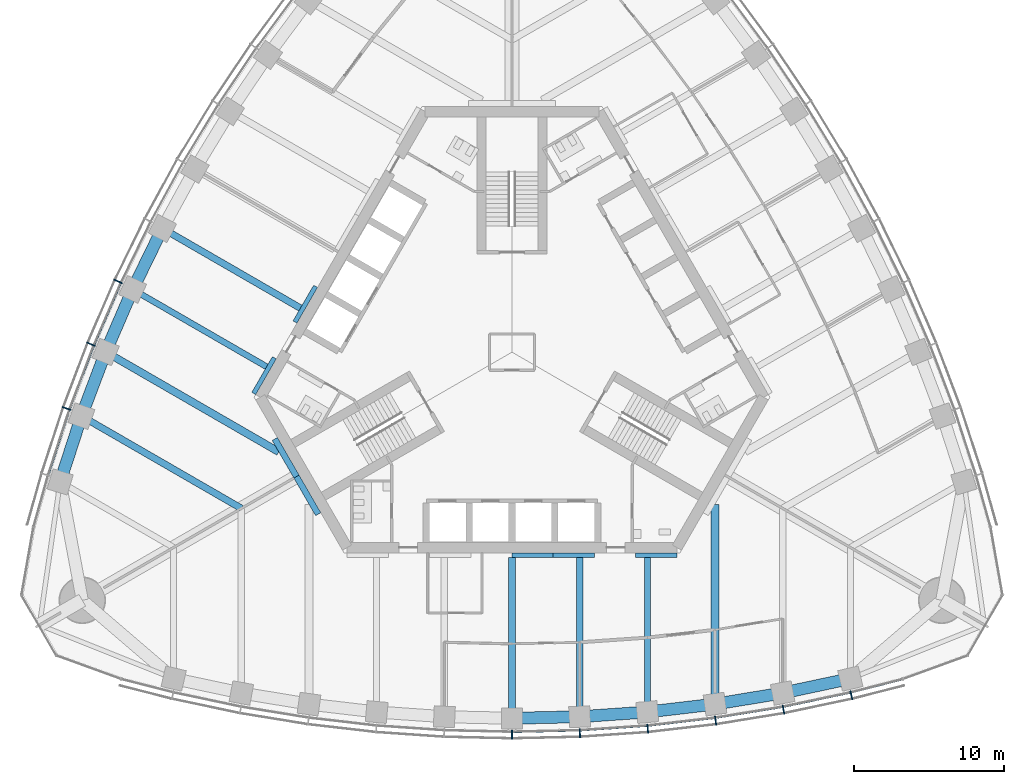
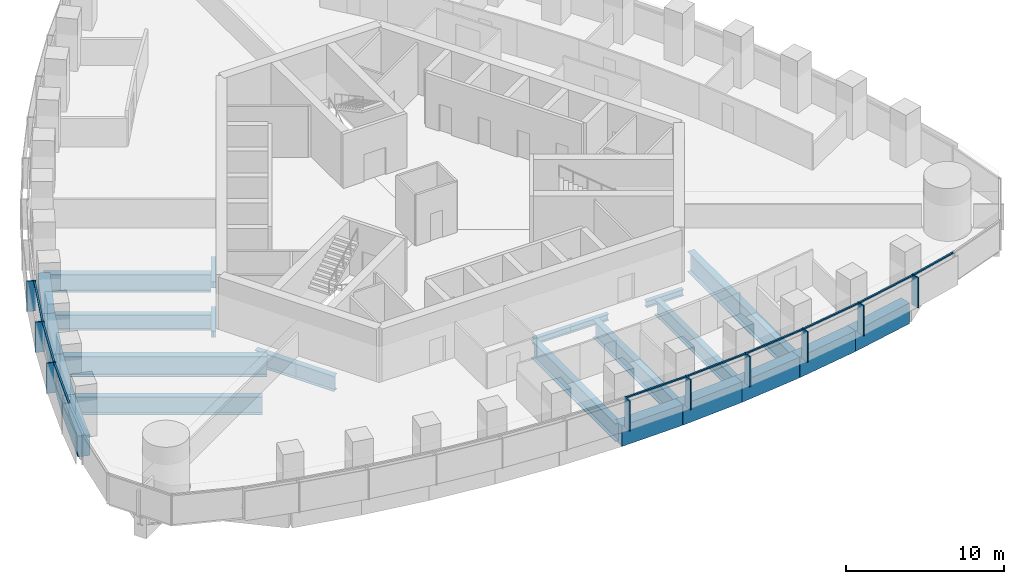
# One storey, part 3 of 19: 24 beams, 18 members, 2 elements without a shape of their own.
"""IFC4 building model written with IfcOpenShell, lengths in metres."""

from ifc_helpers import new_model, si_unit, direction, frame, origin, origin_2d, place, context, subcontext, project, spatial, rectangle, i_section, extrude, material, material_profile, profile_set, type_object, element, aggregate, save


model = new_model("IFC4")

# Units and contexts
model_context = context("Model", 3, precision=1e-05, world=origin(), true_north=direction((0.0, 1.0)))
body_context = subcontext(model_context, "Body", "Model", "MODEL_VIEW")
ifc_project = project(units=[si_unit("LENGTHUNIT", "METRE"), si_unit("AREAUNIT", "SQUARE_METRE"), si_unit("VOLUMEUNIT", "CUBIC_METRE"), si_unit("PLANEANGLEUNIT", "RADIAN"), si_unit("MASSUNIT", "GRAM", prefix="KILO")], contexts=[model_context])

# Site, building, storey
site_placement = place(None, origin())
site = spatial("IfcSite", under=ifc_project, at=site_placement, CompositionType="ELEMENT")
building_placement = place(site_placement, origin())
building = spatial("IfcBuilding", under=site, at=building_placement, Name="Trefoil Bronze Tower", CompositionType="ELEMENT")
storey_placement = place(building_placement, frame((0.0, 0.0, 261.10009765625)))
storey = spatial("IfcBuildingStorey", under=building, at=storey_placement, Name="L60", CompositionType="ELEMENT", Elevation=261.10009765625)

# Curtain wall, members
ifc_material_1 = material(Name="Tinted solar-control glass", Category="glass")
curtain_wall_type = type_object("IfcCurtainWallType", Name="Bronze office curtain wall", PredefinedType="USERDEFINED", material=ifc_material_1)
curtain_wall_1_placement = place(storey_placement, origin())
curtain_wall_1 = element("IfcCurtainWall", 1, at=curtain_wall_1_placement, inside=storey, type_object=curtain_wall_type, Name="CW-A L60 F1", ObjectType="CURTAIN WALL", PredefinedType="USERDEFINED")
ifc_material_2 = material(Name="Bronze-finish aluminium", Category="aluminium")
ifc_material_profile_1 = material_profile(ifc_material_2, rectangle(XDim=0.60009765625, YDim=0.080078125, at=origin_2d()), Name="CW-A mullion")
ifc_profile_set_1 = profile_set([ifc_material_profile_1], Name="Bronze-finish aluminium")
member_type_1 = type_object("IfcMemberType", Name="Bronze office curtain wall mullion", PredefinedType="MULLION", material=ifc_profile_set_1)
member_1_placement = place(storey_placement, frame((0.0, -25.45068359375, 0.0), z_axis=(0.0, 0.0, 1.0), x_axis=(0.0, 1.0, 0.0)))
member_1 = element("IfcMember", 2, at=member_1_placement, type_object=member_type_1, Name="CW-A L60 F1 mullion 7", PredefinedType="MULLION", context=body_context, shape_type="SweptSolid", body=[
    extrude(rectangle(XDim=0.60009765625, YDim=0.080078125, at=origin_2d()), origin(), (0.0, 0.0, 1.0), 2.349853515625),
])
member_2_placement = place(storey_placement, frame((4.513671875, -25.346923828125, 0.0), z_axis=(0.0, 0.0, 1.0), x_axis=(-0.045955542372, 0.998943485952, 0.0)))
member_2 = element("IfcMember", 3, at=member_2_placement, type_object=member_type_1, Name="CW-A L60 F1 mullion 8", PredefinedType="MULLION", context=body_context, shape_type="SweptSolid", body=[
    extrude(rectangle(XDim=0.60009765625, YDim=0.080078125, at=origin_2d()), origin(), (0.0, 0.0, 1.0), 2.349853515625),
])
member_3_placement = place(storey_placement, frame((9.027587890625, -25.03515625, 0.0), z_axis=(0.0, 0.0, 1.0), x_axis=(-0.091911396394, 0.995767189263, 0.0)))
member_3 = element("IfcMember", 4, at=member_3_placement, type_object=member_type_1, Name="CW-A L60 F1 mullion 9", PredefinedType="MULLION", context=body_context, shape_type="SweptSolid", body=[
    extrude(rectangle(XDim=0.60009765625, YDim=0.080078125, at=origin_2d()), origin(), (0.0, 0.0, 1.0), 2.349853515625),
])
member_4_placement = place(storey_placement, frame((13.541259765625, -24.51318359375, 0.0), z_axis=(0.0, 0.0, 1.0), x_axis=(-0.137867887204, 0.990450627582, 0.0)))
member_4 = element("IfcMember", 5, at=member_4_placement, type_object=member_type_1, Name="CW-A L60 F1 mullion 10", PredefinedType="MULLION", context=body_context, shape_type="SweptSolid", body=[
    extrude(rectangle(XDim=0.60009765625, YDim=0.080078125, at=origin_2d()), origin(), (0.0, 0.0, 1.0), 2.349853515625),
])
member_5_placement = place(storey_placement, frame((18.05517578125, -23.77783203125, 0.0), z_axis=(0.0, 0.0, 1.0), x_axis=(-0.183825368167, 0.982958917767, 0.0)))
member_5 = element("IfcMember", 6, at=member_5_placement, type_object=member_type_1, Name="CW-A L60 F1 mullion 11", PredefinedType="MULLION", context=body_context, shape_type="SweptSolid", body=[
    extrude(rectangle(XDim=0.60009765625, YDim=0.080078125, at=origin_2d()), origin(), (0.0, 0.0, 1.0), 2.349853515625),
])
member_6_placement = place(storey_placement, frame((22.568115234375, -22.82421875, 0.0), z_axis=(0.0, 0.0, 1.0), x_axis=(-0.227082662569, 0.973875487093, 0.0)))
member_6 = element("IfcMember", 7, at=member_6_placement, type_object=member_type_1, Name="CW-A L60 F1 mullion 12", PredefinedType="MULLION", context=body_context, shape_type="SweptSolid", body=[
    extrude(rectangle(XDim=0.60009765625, YDim=0.080078125, at=origin_2d()), origin(), (0.0, 0.0, 1.0), 2.349853515625),
])

curtain_wall_2_placement = place(storey_placement, origin())
curtain_wall_2 = element("IfcCurtainWall", 8, at=curtain_wall_2_placement, inside=storey, type_object=curtain_wall_type, Name="CW-A L60 F3", ObjectType="CURTAIN WALL", PredefinedType="USERDEFINED")
member_7_placement = place(storey_placement, frame((-26.19482421875, 4.699462890625, 0.0), z_axis=(0.0, 0.0, 1.0), x_axis=(0.908315380354, -0.418285990457, 0.0)))
member_7 = element("IfcMember", 9, at=member_7_placement, type_object=member_type_1, Name="CW-A L60 F3 mullion 9", PredefinedType="MULLION", context=body_context, shape_type="SweptSolid", body=[
    extrude(rectangle(XDim=0.60009765625, YDim=0.080078125, at=origin_2d()), origin(), (0.0, 0.0, 1.0), 2.349853515625),
])
member_8_placement = place(storey_placement, frame((-27.999755859375, 0.529541015625, 0.0), z_axis=(0.0, 0.0, 1.0), x_axis=(0.926689348282, -0.375828221106, 0.0)))
member_8 = element("IfcMember", 10, at=member_8_placement, type_object=member_type_1, Name="CW-A L60 F3 mullion 10", PredefinedType="MULLION", context=body_context, shape_type="SweptSolid", body=[
    extrude(rectangle(XDim=0.60009765625, YDim=0.080078125, at=origin_2d()), origin(), (0.0, 0.0, 1.0), 2.349853515625),
])
member_9_placement = place(storey_placement, frame((-29.619873046875, -3.747314453125, 0.0), z_axis=(0.0, 0.0, 1.0), x_axis=(0.943180077746, -0.332282020191, 0.0)))
member_9 = element("IfcMember", 11, at=member_9_placement, type_object=member_type_1, Name="CW-A L60 F3 mullion 11", PredefinedType="MULLION", context=body_context, shape_type="SweptSolid", body=[
    extrude(rectangle(XDim=0.60009765625, YDim=0.080078125, at=origin_2d()), origin(), (0.0, 0.0, 1.0), 2.349853515625),
])

# Member
ifc_material_3 = material(Name="Bronze-finish aluminium", Category="aluminium")
ifc_material_profile_2 = material_profile(ifc_material_3, rectangle(XDim=0.1201171875, YDim=0.10009765625, at=origin_2d()), Name="CW-A transom")
ifc_profile_set_2 = profile_set([ifc_material_profile_2], Name="Bronze-finish aluminium")
member_type_2 = type_object("IfcMemberType", Name="Bronze office curtain wall transom", PredefinedType="USERDEFINED", material=ifc_profile_set_2)
member_10_placement = place(storey_placement, frame((0.042236328125, -25.249755859375, 2.2998046875), z_axis=(0.999736131416, 0.022971015226, 0.0), x_axis=(-0.022971015226, 0.999736131416, 0.0)))
member_10 = element("IfcMember", 12, at=member_10_placement, type_object=member_type_2, Name="CW-A L60 F1 transom 7", ObjectType="TRANSOM", PredefinedType="USERDEFINED", context=body_context, shape_type="SweptSolid", body=[
    extrude(rectangle(XDim=0.1201171875, YDim=0.10009765625, at=origin_2d()), origin(), (0.0, 0.0, 1.0), 4.42138671875),
])

member_11_placement = place(storey_placement, frame((4.546875, -25.144287109375, 2.2998046875), z_axis=(0.997621320987, 0.06893257512, 0.0), x_axis=(-0.06893257512, 0.997621320987, 0.0)))
member_11 = element("IfcMember", 13, at=member_11_placement, type_object=member_type_2, Name="CW-A L60 F1 transom 8", ObjectType="TRANSOM", PredefinedType="USERDEFINED", context=body_context, shape_type="SweptSolid", body=[
    extrude(rectangle(XDim=0.1201171875, YDim=0.10009765625, at=origin_2d()), origin(), (0.0, 0.0, 1.0), 4.4306640625),
])

member_12_placement = place(storey_placement, frame((9.05126953125, -24.8310546875, 2.2998046875), z_axis=(0.993384885596, 0.114832352013, 0.0), x_axis=(-0.114832352013, 0.993384885596, 0.0)))
member_12 = element("IfcMember", 14, at=member_12_placement, type_object=member_type_2, Name="CW-A L60 F1 transom 9", ObjectType="TRANSOM", PredefinedType="USERDEFINED", context=body_context, shape_type="SweptSolid", body=[
    extrude(rectangle(XDim=0.1201171875, YDim=0.10009765625, at=origin_2d()), origin(), (0.0, 0.0, 1.0), 4.449951171875),
])

member_13_placement = place(storey_placement, frame((13.5556640625, -24.308349609375, 2.2998046875), z_axis=(0.986988367046, 0.160791676761, 0.0), x_axis=(-0.160791676761, 0.986988367046, 0.0)))
member_13 = element("IfcMember", 15, at=member_13_placement, type_object=member_type_2, Name="CW-A L60 F1 transom 10", ObjectType="TRANSOM", PredefinedType="USERDEFINED", context=body_context, shape_type="SweptSolid", body=[
    extrude(rectangle(XDim=0.1201171875, YDim=0.10009765625, at=origin_2d()), origin(), (0.0, 0.0, 1.0), 4.479248046875),
])

member_14_placement = place(storey_placement, frame((18.059814453125, -23.572509765625, 2.2998046875), z_axis=(0.978395325657, 0.20674280334, 0.0), x_axis=(-0.20674280334, 0.978395325657, 0.0)))
member_14 = element("IfcMember", 16, at=member_14_placement, type_object=member_type_2, Name="CW-A L60 F1 transom 11", ObjectType="TRANSOM", PredefinedType="USERDEFINED", context=body_context, shape_type="SweptSolid", body=[
    extrude(rectangle(XDim=0.1201171875, YDim=0.10009765625, at=origin_2d()), origin(), (0.0, 0.0, 1.0), 4.519287109375),
])

member_15_placement = place(storey_placement, frame((22.5634765625, -22.618896484375, 2.2998046875), z_axis=(0.968935220916, 0.247314653162, 0.0), x_axis=(-0.247314653162, 0.968935220916, 0.0)))
member_15 = element("IfcMember", 17, at=member_15_placement, type_object=member_type_2, Name="CW-A L60 F1 transom 12", ObjectType="TRANSOM", PredefinedType="USERDEFINED", context=body_context, shape_type="SweptSolid", body=[
    extrude(rectangle(XDim=0.1201171875, YDim=0.10009765625, at=origin_2d()), origin(), (0.0, 0.0, 1.0), 3.483642578125),
])

aggregate(curtain_wall_1, [member_1, member_2, member_3, member_4, member_5, member_6, member_10, member_11, member_12, member_13, member_14, member_15])

member_16_placement = place(storey_placement, frame((-26.030029296875, 4.576904296875, 2.2998046875), z_axis=(-0.397220936772, -0.917723012346, 0.0), x_axis=(0.917723012346, -0.397220936772, 0.0)))
member_16 = element("IfcMember", 18, at=member_16_placement, type_object=member_type_2, Name="CW-A L60 F3 transom 9", ObjectType="TRANSOM", PredefinedType="USERDEFINED", context=body_context, shape_type="SweptSolid", body=[
    extrude(rectangle(XDim=0.1201171875, YDim=0.10009765625, at=origin_2d()), origin(), (0.0, 0.0, 1.0), 4.449951171875),
])

member_17_placement = place(storey_placement, frame((-27.829345703125, 0.414794921875, 2.2998046875), z_axis=(-0.354263170896, -0.935145767112, 0.0), x_axis=(0.935145767112, -0.354263170896, 0.0)))
member_17 = element("IfcMember", 19, at=member_17_placement, type_object=member_type_2, Name="CW-A L60 F3 transom 10", ObjectType="TRANSOM", PredefinedType="USERDEFINED", context=body_context, shape_type="SweptSolid", body=[
    extrude(rectangle(XDim=0.1201171875, YDim=0.10009765625, at=origin_2d()), origin(), (0.0, 0.0, 1.0), 4.4794921875),
])

member_18_placement = place(storey_placement, frame((-29.4443359375, -3.85400390625, 2.2998046875), z_axis=(-0.310127806788, -0.950694874004, 0.0), x_axis=(0.950694874004, -0.310127806788, 0.0)))
member_18 = element("IfcMember", 20, at=member_18_placement, type_object=member_type_2, Name="CW-A L60 F3 transom 11", ObjectType="TRANSOM", PredefinedType="USERDEFINED", context=body_context, shape_type="SweptSolid", body=[
    extrude(rectangle(XDim=0.1201171875, YDim=0.10009765625, at=origin_2d()), origin(), (0.0, 0.0, 1.0), 4.51953125),
])

aggregate(curtain_wall_2, [member_7, member_8, member_9, member_16, member_17, member_18])

# Beams
ifc_material_4 = material(Name="Steel C355", Category="steel")
ifc_material_profile_3 = material_profile(ifc_material_4, i_section(OverallWidth=0.300048828125, OverallDepth=0.5, WebThickness=0.014404296875, FlangeThickness=0.028076171875, FilletRadius=0.027099609375, at=origin_2d()), Name="HEB 500")
ifc_profile_set_3 = profile_set([ifc_material_profile_3], Name="Steel C355")
beam_type_1 = type_object("IfcBeamType", Name="Core seat beam HEB 500", PredefinedType="BEAM", material=ifc_profile_set_3)
for number, where, z_axis, x_axis, name in (
    (21, (0.0, -13.5, -0.4501953125), (1.0, 0.0, 0.0), (0.0, 1.0, 0.0), "Core seat beam F1/+0 L60"),
    (22, (2.742431640625, -13.5, -0.4501953125), (1.0, 0.0, 0.0), (0.0, 1.0, 0.0), "Core seat beam F1/+1 L60"),
    (23, (8.227294921875, -13.5, -0.4501953125), (1.0, 0.0, 0.0), (0.0, 1.0, 0.0), "Core seat beam F1/+2 L60"),
    (24, (-13.0625, 4.375, -0.4501953125), (-0.500035825175, -0.866004719122, 0.0), (0.866004719122, -0.500035825175, 0.0), "Core seat beam F3/+1 L60"),
    (25, (-15.804931640625, -0.375, -0.4501953125), (-0.500035825175, -0.866004719122, 0.0), (0.866004719122, -0.500035825175, 0.0), "Core seat beam F3/+2 L60"),
):
    element("IfcBeam", number, at=place(storey_placement, frame(where, z_axis=z_axis, x_axis=x_axis)), inside=storey, type_object=beam_type_1, Name=name, PredefinedType="BEAM", context=body_context, shape_type="SweptSolid", body=[
        extrude(i_section(OverallWidth=0.300048828125, OverallDepth=0.5, WebThickness=0.014404296875, FlangeThickness=0.028076171875, FilletRadius=0.027099609375, at=origin_2d()), origin(), (0.0, 0.0, 1.0), 2.742431640625),
    ])
ifc_material_5 = material(Name="Steel C355", Category="steel")
ifc_material_profile_4 = material_profile(ifc_material_5, i_section(OverallWidth=0.39990234375, OverallDepth=1.199951171875, WebThickness=0.02001953125, FlangeThickness=0.0400390625, FilletRadius=0.010009765625, at=origin_2d()), Name="WPG 1200")
ifc_profile_set_4 = profile_set([ifc_material_profile_4], Name="Steel C355")
beam_type_2 = type_object("IfcBeamType", Name="Core seat beam WPG 1200", PredefinedType="BEAM", material=ifc_profile_set_4)
for number, where, z_axis, x_axis, name in (
    (26, (-14.332763671875, -8.27490234375, -0.800048828125), (0.499995765644, -0.866027848477, 0.0), (0.866027848477, 0.499995765644, 0.0), "Core seat beam F1/-3 L60"),
    (27, (-15.776123046875, -5.77490234375, -0.800048828125), (0.499995765644, -0.866027848477, 0.0), (0.866027848477, 0.499995765644, 0.0), "Core seat beam F3/+3 L60"),
):
    element("IfcBeam", number, at=place(storey_placement, frame(where, z_axis=z_axis, x_axis=x_axis)), inside=storey, type_object=beam_type_2, Name=name, PredefinedType="BEAM", context=body_context, shape_type="SweptSolid", body=[
        extrude(i_section(OverallWidth=0.39990234375, OverallDepth=1.199951171875, WebThickness=0.02001953125, FlangeThickness=0.0400390625, FilletRadius=0.010009765625, at=origin_2d()), origin(), (0.0, 0.0, 1.0), 2.88671875),
    ])
ifc_material_6 = material(Name="Steel C355", Category="steel")
ifc_material_profile_5 = material_profile(ifc_material_6, i_section(OverallWidth=0.39990234375, OverallDepth=1.199951171875, WebThickness=0.02001953125, FlangeThickness=0.0400390625, FilletRadius=0.010009765625, at=origin_2d()), Name="WPG 1200")
ifc_profile_set_5 = profile_set([ifc_material_profile_5], Name="Steel C355")
beam_type_3 = type_object("IfcBeamType", Name="Floor beam WPG 1200", PredefinedType="BEAM", material=ifc_profile_set_5)
for number, where, z_axis, x_axis, name in (
    (28, (9.0, -23.932861328125, -0.800048828125), (0.0, 1.0, 0.0), (-1.0, 0.0, 0.0), "Floor beam F1/+2 L60"),
    (29, (-25.2265625, 4.17236328125, -0.800048828125), (0.866019527493, -0.500010177898, 0.0), (0.500010177898, 0.866019527493, 0.0), "Floor beam F3/+2 L60"),
):
    element("IfcBeam", number, at=place(storey_placement, frame(where, z_axis=z_axis, x_axis=x_axis)), inside=storey, type_object=beam_type_3, Name=name, PredefinedType="BEAM", context=body_context, shape_type="SweptSolid", body=[
        extrude(i_section(OverallWidth=0.39990234375, OverallDepth=1.199951171875, WebThickness=0.02001953125, FlangeThickness=0.0400390625, FilletRadius=0.010009765625, at=origin_2d()), origin(), (0.0, 0.0, 1.0), 10.282958984375),
    ])
ifc_material_7 = material(Name="Steel C355", Category="steel")
ifc_material_profile_6 = material_profile(ifc_material_7, i_section(OverallWidth=0.449951171875, OverallDepth=1.39990234375, WebThickness=0.02294921875, FlangeThickness=0.044921875, FilletRadius=0.011962890625, at=origin_2d()), Name="WPG 1400")
ifc_profile_set_6 = profile_set([ifc_material_profile_6], Name="Steel C355")
beam_type_4 = type_object("IfcBeamType", Name="Floor beam WPG 1400", PredefinedType="BEAM", material=ifc_profile_set_6)
beam_1_placement = place(storey_placement, frame((0.0, -24.3505859375, -0.900146484375), z_axis=(0.0, 1.0, 0.0), x_axis=(-1.0, 0.0, 0.0)))
element("IfcBeam", 30, at=beam_1_placement, inside=storey, type_object=beam_type_4, Name="Floor beam F1/+0 L60", PredefinedType="BEAM", context=body_context, shape_type="SweptSolid", body=[
    extrude(i_section(OverallWidth=0.449951171875, OverallDepth=1.39990234375, WebThickness=0.02294921875, FlangeThickness=0.044921875, FilletRadius=0.011962890625, at=origin_2d()), origin(), (0.0, 0.0, 1.0), 10.70068359375),
])
for number, where, z_axis, x_axis, name in (
    (31, (4.5, -24.246337890625, -0.900146484375), (0.0, 1.0, 0.0), (-1.0, 0.0, 0.0), "Floor beam F1/+1 L60"),
    (32, (-23.248046875, 8.22607421875, -0.900146484375), (0.86602981261, -0.499992363612, 0.0), (0.499992363612, 0.86602981261, 0.0), "Floor beam F3/+1 L60"),
):
    element("IfcBeam", number, at=place(storey_placement, frame(where, z_axis=z_axis, x_axis=x_axis)), inside=storey, type_object=beam_type_4, Name=name, PredefinedType="BEAM", context=body_context, shape_type="SweptSolid", body=[
        extrude(i_section(OverallWidth=0.449951171875, OverallDepth=1.39990234375, WebThickness=0.02294921875, FlangeThickness=0.044921875, FilletRadius=0.011962890625, at=origin_2d()), origin(), (0.0, 0.0, 1.0), 10.596435546875),
    ])
beam_2_placement = place(storey_placement, frame((-28.632080078125, -4.25390625, -0.900146484375), z_axis=(0.866025635187, -0.499999599199, 0.0), x_axis=(0.499999599199, 0.866025635187, 0.0)))
element("IfcBeam", 33, at=beam_2_placement, inside=storey, type_object=beam_type_4, Name="Floor beam F3/+4 L60", PredefinedType="BEAM", context=body_context, shape_type="SweptSolid", body=[
    extrude(i_section(OverallWidth=0.449951171875, OverallDepth=1.39990234375, WebThickness=0.02294921875, FlangeThickness=0.044921875, FilletRadius=0.011962890625, at=origin_2d()), origin(), (0.0, 0.0, 1.0), 12.27685546875),
])
ifc_material_8 = material(Name="Steel C355", Category="steel")
ifc_material_profile_7 = material_profile(ifc_material_8, i_section(OverallWidth=0.5, OverallDepth=1.60009765625, WebThickness=0.02587890625, FlangeThickness=0.050048828125, FilletRadius=0.011962890625, at=origin_2d()), Name="WPG 1600")
ifc_profile_set_7 = profile_set([ifc_material_profile_7], Name="Steel C355")
beam_type_5 = type_object("IfcBeamType", Name="Floor beam WPG 1600", PredefinedType="BEAM", material=ifc_profile_set_7)
for number, where, z_axis, x_axis, name in (
    (34, (13.5, -23.408447265625, -1.0), (0.0, 1.0, 0.0), (-1.0, 0.0, 0.0), "Floor beam F1/+3 L60"),
    (35, (-27.022216796875, 0.012939453125, -1.0), (0.866023461342, -0.500003364394, 0.0), (0.500003364394, 0.866023461342, 0.0), "Floor beam F3/+3 L60"),
):
    element("IfcBeam", number, at=place(storey_placement, frame(where, z_axis=z_axis, x_axis=x_axis)), inside=storey, type_object=beam_type_5, Name=name, PredefinedType="BEAM", context=body_context, shape_type="SweptSolid", body=[
        extrude(i_section(OverallWidth=0.5, OverallDepth=1.60009765625, WebThickness=0.02587890625, FlangeThickness=0.050048828125, FilletRadius=0.011962890625, at=origin_2d()), origin(), (0.0, 0.0, 1.0), 13.291015625),
    ])
ifc_material_9 = material(Name="Concrete B80", Category="concrete")
ifc_material_profile_8 = material_profile(ifc_material_9, rectangle(XDim=0.800048828125, YDim=1.60009765625, at=origin_2d()), Name="RC 800x1600")
ifc_profile_set_8 = profile_set([ifc_material_profile_8], Name="Concrete B80")
beam_type_6 = type_object("IfcBeamType", Name="Spandrel beam RC 800x1600", PredefinedType="SPANDREL", material=ifc_profile_set_8)
beam_3_placement = place(storey_placement, frame((0.0, -24.3505859375, -1.0), z_axis=(0.999731770792, 0.023160018779, 0.0), x_axis=(-0.023160018779, 0.999731770792, 0.0)))
element("IfcBeam", 36, at=beam_3_placement, inside=storey, type_object=beam_type_6, Name="Spandrel F1.7 L60", PredefinedType="SPANDREL", context=body_context, shape_type="SweptSolid", body=[
    extrude(rectangle(XDim=0.800048828125, YDim=1.60009765625, at=origin_2d()), origin(), (0.0, 0.0, 1.0), 4.501220703125),
])
beam_4_placement = place(storey_placement, frame((4.5, -24.246337890625, -1.0), z_axis=(0.997582435881, 0.069493047291, 0.0), x_axis=(-0.069493047291, 0.997582435881, 0.0)))
element("IfcBeam", 37, at=beam_4_placement, inside=storey, type_object=beam_type_6, Name="Spandrel F1.8 L60", PredefinedType="SPANDREL", context=body_context, shape_type="SweptSolid", body=[
    extrude(rectangle(XDim=0.800048828125, YDim=1.60009765625, at=origin_2d()), origin(), (0.0, 0.0, 1.0), 4.510986328125),
])
beam_5_placement = place(storey_placement, frame((9.0, -23.932861328125, -1.0), z_axis=(0.993278017132, 0.115753102257, 0.0), x_axis=(-0.115753102257, 0.993278017132, 0.0)))
element("IfcBeam", 38, at=beam_5_placement, inside=storey, type_object=beam_type_6, Name="Spandrel F1.9 L60", PredefinedType="SPANDREL", context=body_context, shape_type="SweptSolid", body=[
    extrude(rectangle(XDim=0.800048828125, YDim=1.60009765625, at=origin_2d()), origin(), (0.0, 0.0, 1.0), 4.530517578125),
])
beam_6_placement = place(storey_placement, frame((13.5, -23.408447265625, -1.0), z_axis=(0.986764681833, 0.162158757664, 0.0), x_axis=(-0.162158757664, 0.986764681833, 0.0)))
element("IfcBeam", 39, at=beam_6_placement, inside=storey, type_object=beam_type_6, Name="Spandrel F1.10 L60", PredefinedType="SPANDREL", context=body_context, shape_type="SweptSolid", body=[
    extrude(rectangle(XDim=0.800048828125, YDim=1.60009765625, at=origin_2d()), origin(), (0.0, 0.0, 1.0), 4.560302734375),
])
beam_7_placement = place(storey_placement, frame((18.0, -22.6689453125, -1.0), z_axis=(0.978059483036, 0.208325820877, 0.0), x_axis=(-0.208325820877, 0.978059483036, 0.0)))
element("IfcBeam", 40, at=beam_7_placement, inside=storey, type_object=beam_type_6, Name="Spandrel F1.11 L60", PredefinedType="SPANDREL", context=body_context, shape_type="SweptSolid", body=[
    extrude(rectangle(XDim=0.800048828125, YDim=1.60009765625, at=origin_2d()), origin(), (0.0, 0.0, 1.0), 4.600830078125),
])
beam_8_placement = place(storey_placement, frame((-23.248046875, 8.22607421875, -1.0), z_axis=(-0.438619830351, -0.898672712629, 0.0), x_axis=(0.898672712629, -0.438619830351, 0.0)))
element("IfcBeam", 41, at=beam_8_placement, inside=storey, type_object=beam_type_6, Name="Spandrel F3.8 L60", PredefinedType="SPANDREL", context=body_context, shape_type="SweptSolid", body=[
    extrude(rectangle(XDim=0.800048828125, YDim=1.60009765625, at=origin_2d()), origin(), (0.0, 0.0, 1.0), 4.5107421875),
])
beam_9_placement = place(storey_placement, frame((-25.2265625, 4.17236328125, -1.0), z_axis=(-0.396350337164, -0.918099346602, 0.0), x_axis=(0.918099346602, -0.396350337164, 0.0)))
element("IfcBeam", 42, at=beam_9_placement, inside=storey, type_object=beam_type_6, Name="Spandrel F3.9 L60", PredefinedType="SPANDREL", context=body_context, shape_type="SweptSolid", body=[
    extrude(rectangle(XDim=0.800048828125, YDim=1.60009765625, at=origin_2d()), origin(), (0.0, 0.0, 1.0), 4.530517578125),
])
beam_10_placement = place(storey_placement, frame((-27.022216796875, 0.012939453125, -1.0), z_axis=(-0.353005969632, -0.935621069346, 0.0), x_axis=(0.935621069346, -0.353005969632, 0.0)))
element("IfcBeam", 43, at=beam_10_placement, inside=storey, type_object=beam_type_6, Name="Spandrel F3.10 L60", PredefinedType="SPANDREL", context=body_context, shape_type="SweptSolid", body=[
    extrude(rectangle(XDim=0.800048828125, YDim=1.60009765625, at=origin_2d()), origin(), (0.0, 0.0, 1.0), 4.560546875),
])
beam_11_placement = place(storey_placement, frame((-28.632080078125, -4.25390625, -1.0), z_axis=(-0.308608505504, -0.951189145402, 0.0), x_axis=(0.951189145402, -0.308608505504, 0.0)))
element("IfcBeam", 44, at=beam_11_placement, inside=storey, type_object=beam_type_6, Name="Spandrel F3.11 L60", PredefinedType="SPANDREL", context=body_context, shape_type="SweptSolid", body=[
    extrude(rectangle(XDim=0.800048828125, YDim=1.60009765625, at=origin_2d()), origin(), (0.0, 0.0, 1.0), 4.60107421875),
])

save(model, "model.ifc")
